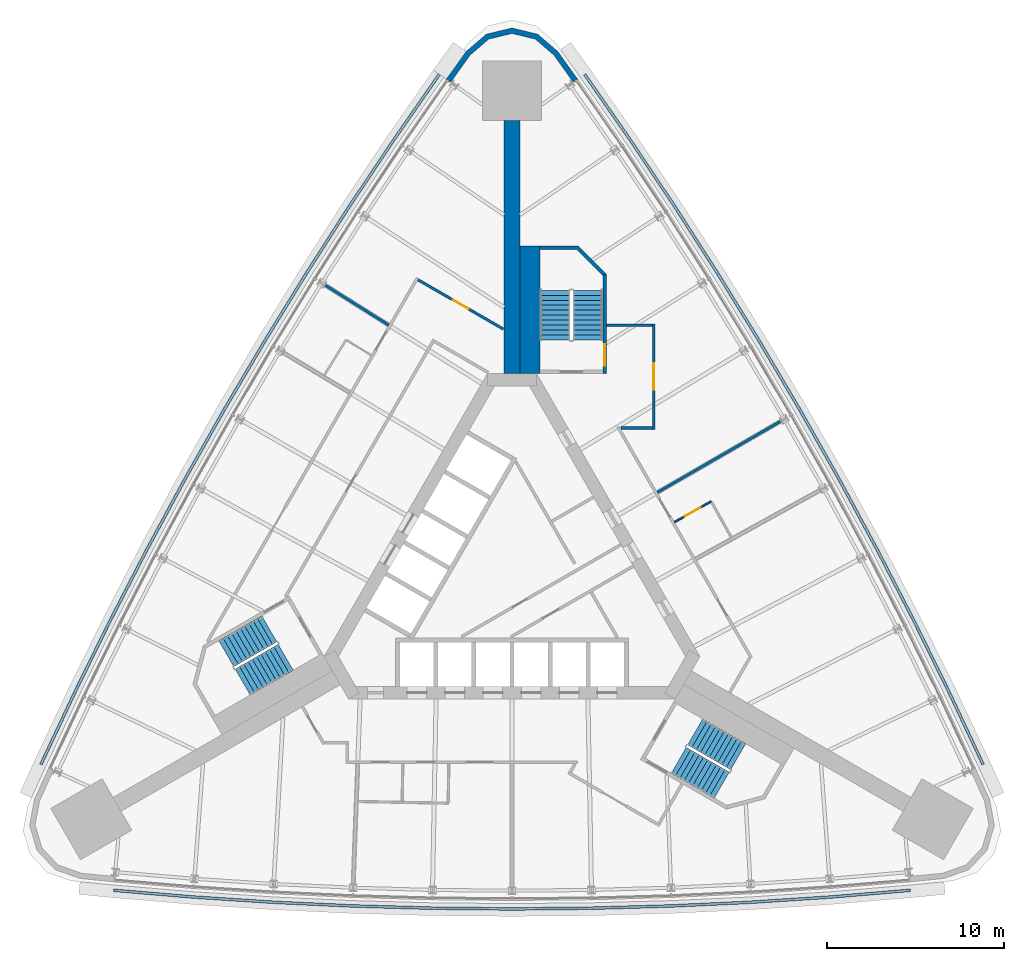
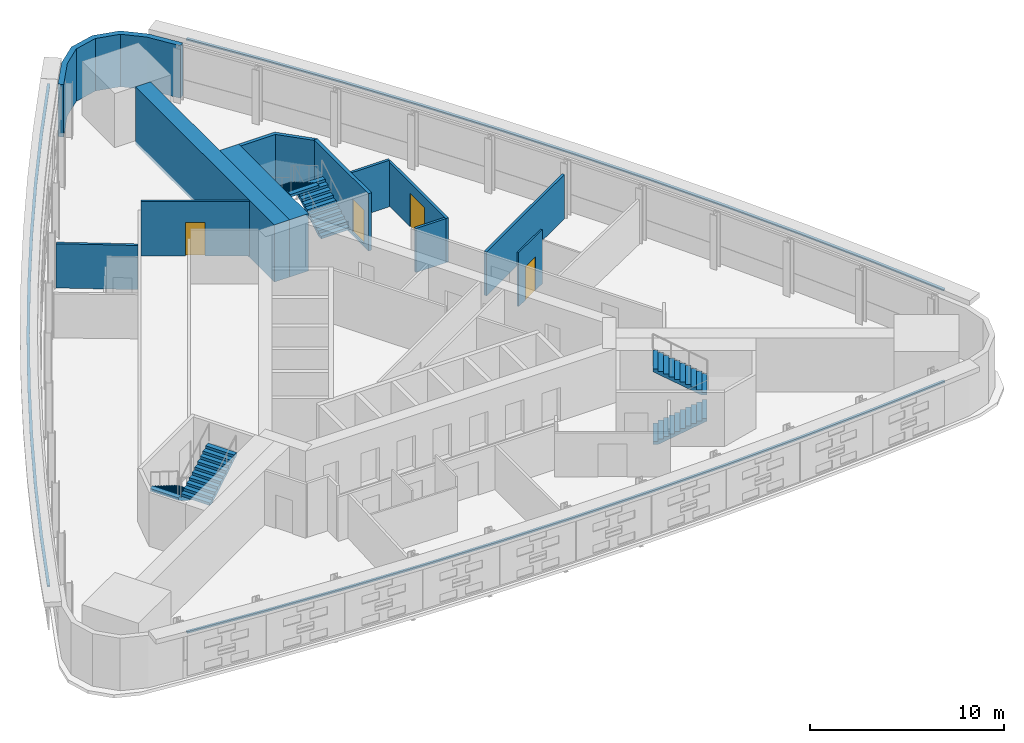
# One storey, part 12 of 14: 12 walls, 6 stair flights, 4 doors, 3 discrete accessories, 4 openings, 3 elements without a shape of their own.
"""IFC4 building model written with IfcOpenShell, lengths in metres."""

from ifc_helpers import new_model, si_unit, direction, frame, frame_2d, origin, place, context, subcontext, project, spatial, polyline, rectangle, outline, extrude, material, layer, layer_set, type_object, element, fill, aggregate, save


model = new_model("IFC4")

# Units and contexts
model_context = context("Model", 3, precision=1e-05, world=origin(), true_north=direction((0.0, 1.0)))
body_context = subcontext(model_context, "Body", "Model", "MODEL_VIEW")
ifc_project = project(units=[si_unit("LENGTHUNIT", "METRE"), si_unit("AREAUNIT", "SQUARE_METRE"), si_unit("VOLUMEUNIT", "CUBIC_METRE"), si_unit("PLANEANGLEUNIT", "RADIAN"), si_unit("MASSUNIT", "GRAM", prefix="KILO")], contexts=[model_context])

# Site, building, storey
site_placement = place(None, origin())
site = spatial("IfcSite", under=ifc_project, at=site_placement, CompositionType="ELEMENT")
building_placement = place(site_placement, origin())
building = spatial("IfcBuilding", under=site, at=building_placement, Name="Noor Cloister Tower", CompositionType="ELEMENT")
storey_placement = place(building_placement, frame((0.0, 0.0, 34.800048828125)))
storey = spatial("IfcBuildingStorey", under=building, at=storey_placement, Name="L08", CompositionType="ELEMENT", Elevation=34.800048828125)

# Wall
ifc_material_1 = material(Name="Concrete C80/95", Category="concrete")
ifc_layer_1 = layer(ifc_material_1, 0.89990234375)
ifc_layer_set_1 = layer_set([ifc_layer_1], Name="Buttress wall 900 C80/95")
wall_type_1 = type_object("IfcWallType", Name="Buttress wall 900 C80/95", PredefinedType="SHEAR", material=ifc_layer_set_1)
wall_1_placement = place(storey_placement, frame((0.0, 11.456298828125, -0.199951171875), z_axis=(0.0, 0.0, 1.0), x_axis=(0.0, 1.0, 0.0)))
element("IfcWall", 1, at=wall_1_placement, inside=storey, type_object=wall_type_1, Name="Buttress wall N L08", PredefinedType="SHEAR", context=body_context, shape_type="SweptSolid", body=[
    extrude(rectangle(XDim=14.30859375, YDim=0.89990234375, at=frame_2d((7.154296875, 0.0))), origin(), (0.0, 0.0, 1.0), 3.599853515625),
])

# Wall, opening, door
ifc_material_2 = material(Name="Gypsum board partition on steel studs, 150 mm", Category="steel")
ifc_layer_2 = layer(ifc_material_2, 0.14990234375)
ifc_layer_set_2 = layer_set([ifc_layer_2], Name="Flat wall 150")
wall_type_2 = type_object("IfcWallType", Name="Flat wall 150", PredefinedType="PARTITIONING", material=ifc_layer_set_2)
wall_2_placement = place(storey_placement, frame((8.010498046875, 14.25634765625, 0.0), z_axis=(0.0, 0.0, 1.0), x_axis=(0.0, -1.0, 0.0)))
wall_2 = element("IfcWall", 2, at=wall_2_placement, inside=storey, type_object=wall_type_2, Name="Flat wall 150 L08 005", PredefinedType="PARTITIONING", context=body_context, shape_type="SweptSolid", body=[
    extrude(rectangle(XDim=5.949951171875, YDim=0.14990234375, at=frame_2d((2.97509765625, 0.0))), origin(), (0.0, 0.0, 1.0), 2.76806640625),
])
opening_1_placement = place(wall_2_placement, frame((2.22509765625, 0.0, 0.0)))
opening_1 = element("IfcOpeningElement", 3, at=opening_1_placement, cuts=wall_2, Name="Opening L08-009", PredefinedType="OPENING", context=body_context, shape_type="SweptSolid", body=[
    extrude(rectangle(XDim=1.5, YDim=2.10009765625, at=frame_2d((0.75, 1.050048828125))), frame((0.0, 0.0849609375, 0.0), z_axis=(0.0, -1.0, 0.0), x_axis=(1.0, 0.0, 0.0)), (0.0, 0.0, 1.0), 0.169921875),
])
ifc_material_3 = material(Name="Timber door leaf with steel frame", Category="steel")
door_type_1 = type_object("IfcDoorType", Name="Double door 1500 FD60", OperationType="NOTDEFINED", PredefinedType="DOOR", material=ifc_material_3)
door_1_placement = place(opening_1_placement, origin())
door_1 = element("IfcDoor", 4, at=door_1_placement, inside=storey, type_object=door_type_1, Name="Double door 1500 L08-009", OperationType="DOUBLE_DOOR_SINGLE_SWING", OverallHeight=2.10009765625, OverallWidth=1.5, PredefinedType="DOOR", context=body_context, shape_type="SweptSolid", body=[
    extrude(rectangle(XDim=1.5, YDim=2.10009765625, at=frame_2d((0.75, 1.050048828125))), frame((0.0, 0.02490234375, 0.0), z_axis=(0.0, -1.0, 0.0), x_axis=(1.0, 0.0, 0.0)), (0.0, 0.0, 1.0), 0.050048828125),
])
fill(opening_1, door_1)

wall_3_placement = place(storey_placement, frame((-5.3125, 16.754638671875, 0.0), z_axis=(0.0, 0.0, 1.0), x_axis=(0.866028693448, -0.499994302092, 0.0)))
wall_3 = element("IfcWall", 5, at=wall_3_placement, inside=storey, type_object=wall_type_2, Name="Flat wall 150 L08 007", PredefinedType="PARTITIONING", context=body_context, shape_type="SweptSolid", body=[
    extrude(rectangle(XDim=5.5712890625, YDim=0.14990234375, at=frame_2d((2.78564453125, 0.0))), origin(), (0.0, 0.0, 1.0), 3.39990234375),
])
opening_2_placement = place(wall_3_placement, frame((2.295166015625, 0.0, 0.0)))
opening_2 = element("IfcOpeningElement", 6, at=opening_2_placement, cuts=wall_3, Name="Opening L08-011", PredefinedType="OPENING", context=body_context, shape_type="SweptSolid", body=[
    extrude(rectangle(XDim=1.0, YDim=2.10009765625, at=frame_2d((0.5, 1.050048828125))), frame((0.0, 0.0849609375, 0.0), z_axis=(0.0, -1.0, 0.0), x_axis=(1.0, 0.0, 0.0)), (0.0, 0.0, 1.0), 0.169921875),
])
ifc_material_4 = material(Name="Timber door leaf with steel frame", Category="steel")
door_type_2 = type_object("IfcDoorType", Name="Interior door 1000 FD60", OperationType="NOTDEFINED", PredefinedType="DOOR", material=ifc_material_4)
door_2_placement = place(opening_2_placement, origin())
door_2 = element("IfcDoor", 7, at=door_2_placement, inside=storey, type_object=door_type_2, Name="Interior door 1000 L08-011", OperationType="SINGLE_SWING_RIGHT", OverallHeight=2.10009765625, OverallWidth=1.0, PredefinedType="DOOR", context=body_context, shape_type="SweptSolid", body=[
    extrude(rectangle(XDim=1.0, YDim=2.10009765625, at=frame_2d((0.5, 1.050048828125))), frame((0.0, 0.02490234375, 0.0), z_axis=(0.0, -1.0, 0.0), x_axis=(1.0, 0.0, 0.0)), (0.0, 0.0, 1.0), 0.050048828125),
])
fill(opening_2, door_2)

# Walls
wall_4_placement = place(storey_placement, frame((5.335693359375, 14.181396484375, 0.0), z_axis=(0.0, 0.0, 1.0), x_axis=(1.0, 0.0, 0.0)))
element("IfcWall", 8, at=wall_4_placement, inside=storey, type_object=wall_type_2, Name="Flat wall 150 L08 009", PredefinedType="PARTITIONING", context=body_context, shape_type="SweptSolid", body=[
    extrude(rectangle(XDim=2.599853515625, YDim=0.14990234375, at=frame_2d((1.2998046875, 0.0))), origin(), (0.0, 0.0, 1.0), 2.9228515625),
])
wall_5_placement = place(storey_placement, frame((6.148681640625, 8.38134765625, 0.0), z_axis=(0.0, 0.0, 1.0), x_axis=(1.0, 0.0, 0.0)))
element("IfcWall", 9, at=wall_5_placement, inside=storey, type_object=wall_type_2, Name="Flat wall 150 L08 013", PredefinedType="PARTITIONING", context=body_context, shape_type="SweptSolid", body=[
    extrude(rectangle(XDim=1.786865234375, YDim=0.14990234375, at=frame_2d((0.8935546875, 0.0))), origin(), (0.0, 0.0, 1.0), 2.76806640625),
])
wall_6_placement = place(storey_placement, frame((15.161376953125, 8.75341796875, 0.0), z_axis=(0.0, 0.0, 1.0), x_axis=(-0.86601695431, -0.500014634633, 0.0)))
element("IfcWall", 10, at=wall_6_placement, inside=storey, type_object=wall_type_2, Name="Flat wall 150 L08 017", PredefinedType="PARTITIONING", context=body_context, shape_type="SweptSolid", body=[
    extrude(rectangle(XDim=8.028564453125, YDim=0.14990234375, at=frame_2d((4.01416015625, 0.0))), origin(), (0.0, 0.0, 1.0), 2.76806640625),
])
wall_7_placement = place(storey_placement, frame((-10.531982421875, 16.435791015625, 0.0), z_axis=(0.0, 0.0, 1.0), x_axis=(0.846689538327, -0.532087235036, 0.0)))
element("IfcWall", 11, at=wall_7_placement, inside=storey, type_object=wall_type_2, Name="Flat wall 150 L08 022", PredefinedType="PARTITIONING", context=body_context, shape_type="SweptSolid", body=[
    extrude(rectangle(XDim=4.210693359375, YDim=0.14990234375, at=frame_2d((2.10546875, 0.0))), origin(), (0.0, 0.0, 1.0), 2.77783203125),
])
ifc_material_5 = material(Name="Limestone", Category="masonry")
ifc_layer_3 = layer(ifc_material_5, 0.300048828125)
ifc_layer_set_3 = layer_set([ifc_layer_3], Name="Limestone cladding 300")
wall_type_3 = type_object("IfcWallType", Name="Limestone cladding 300", PredefinedType="NOTDEFINED", material=ifc_layer_set_3)
wall_8_placement = place(storey_placement, origin())
element("IfcWall", 12, at=wall_8_placement, inside=storey, type_object=wall_type_3, Name="Limestone pier cladding L08 3.1", PredefinedType="NOTDEFINED", context=body_context, shape_type="SweptSolid", body=[
    extrude(outline(polyline([(3.708984375, 28.084228515625), (2.58642578125, 29.65234375), (1.45263671875, 30.625244140625), (0.0, 30.975341796875), (-1.45263671875, 30.625244140625), (-2.58642578125, 29.65234375), (-3.708984375, 28.084228515625), (-3.465087890625, 27.90966796875), (-2.363525390625, 29.4482421875), (-1.31201171875, 30.3505859375), (0.0, 30.666748046875), (1.31201171875, 30.3505859375), (2.363525390625, 29.4482421875), (3.465087890625, 27.90966796875), (3.708984375, 28.084228515625)])), origin(), (0.0, 0.0, 1.0), 3.300048828125),
])

# Wall, opening, door
ifc_material_6 = material(Name="Gypsum board partition on steel studs, 100 mm", Category="steel")
ifc_layer_4 = layer(ifc_material_6, 0.10009765625)
ifc_layer_set_4 = layer_set([ifc_layer_4], Name="Partition 100")
wall_type_4 = type_object("IfcWallType", Name="Partition 100", PredefinedType="PARTITIONING", material=ifc_layer_set_4)
wall_9_placement = place(storey_placement, frame((11.250244140625, 4.2353515625, 0.0), z_axis=(0.0, 0.0, 1.0), x_axis=(-0.870673532045, -0.491861363188, 0.0)))
wall_9 = element("IfcWall", 13, at=wall_9_placement, inside=storey, type_object=wall_type_4, Name="Partition 100 L08 024", PredefinedType="PARTITIONING", context=body_context, shape_type="SweptSolid", body=[
    extrude(rectangle(XDim=2.382080078125, YDim=0.10009765625, at=frame_2d((1.19091796875, 0.0))), origin(), (0.0, 0.0, 1.0), 3.39990234375),
])
opening_3_placement = place(wall_9_placement, frame((0.699951171875, 0.0, 0.0)))
opening_3 = element("IfcOpeningElement", 14, at=opening_3_placement, cuts=wall_9, Name="Opening L08-013", PredefinedType="OPENING", context=body_context, shape_type="SweptSolid", body=[
    extrude(rectangle(XDim=1.0, YDim=2.10009765625, at=frame_2d((0.5, 1.050048828125))), frame((0.0, 0.06005859375, 0.0), z_axis=(0.0, -1.0, 0.0), x_axis=(1.0, 0.0, 0.0)), (0.0, 0.0, 1.0), 0.1201171875),
])
ifc_material_7 = material(Name="Timber door leaf with steel frame", Category="steel")
door_type_3 = type_object("IfcDoorType", Name="Interior door 1000", OperationType="NOTDEFINED", PredefinedType="DOOR", material=ifc_material_7)
door_3_placement = place(opening_3_placement, origin())
door_3 = element("IfcDoor", 15, at=door_3_placement, inside=storey, type_object=door_type_3, Name="Interior door 1000 L08-013", OperationType="SINGLE_SWING_RIGHT", OverallHeight=2.10009765625, OverallWidth=1.0, PredefinedType="DOOR", context=body_context, shape_type="SweptSolid", body=[
    extrude(rectangle(XDim=1.0, YDim=2.10009765625, at=frame_2d((0.5, 1.050048828125))), frame((0.0, 0.02490234375, 0.0), z_axis=(0.0, -1.0, 0.0), x_axis=(1.0, 0.0, 0.0)), (0.0, 0.0, 1.0), 0.050048828125),
])
fill(opening_3, door_3)

# Wall
ifc_material_8 = material(Name="Concrete C80/95", Category="concrete")
ifc_layer_5 = layer(ifc_material_8, 1.135986328125)
ifc_layer_set_5 = layer_set([ifc_layer_5], Name="Stair enclosure wall 1136 C80/95")
wall_type_5 = type_object("IfcWallType", Name="Stair enclosure wall 1136 C80/95", PredefinedType="SHEAR", material=ifc_layer_set_5)
wall_10_placement = place(storey_placement, frame((1.017822265625, 11.456298828125, -0.199951171875), z_axis=(0.0, 0.0, 1.0), x_axis=(0.0, 1.0, 0.0)))
element("IfcWall", 16, at=wall_10_placement, inside=storey, type_object=wall_type_5, Name="Stair enclosure wall ST1 L08 riser side", PredefinedType="SHEAR", context=body_context, shape_type="SweptSolid", body=[
    extrude(rectangle(XDim=7.2001953125, YDim=1.1357421875, at=frame_2d((3.60009765625, 0.0))), origin(), (0.0, 0.0, 1.0), 3.599853515625),
])

# Wall, opening, door
ifc_material_9 = material(Name="Concrete C80/95", Category="concrete")
ifc_layer_6 = layer(ifc_material_9, 0.199951171875)
ifc_layer_set_6 = layer_set([ifc_layer_6], Name="Stair enclosure wall 200 C80/95")
wall_type_6 = type_object("IfcWallType", Name="Stair enclosure wall 200 C80/95", PredefinedType="SHEAR", material=ifc_layer_set_6)
wall_11_placement = place(storey_placement, frame((5.235595703125, 11.456298828125, -0.199951171875), z_axis=(0.0, 0.0, 1.0), x_axis=(0.0, 1.0, 0.0)))
wall_11 = element("IfcWall", 17, at=wall_11_placement, inside=storey, type_object=wall_type_6, Name="Stair enclosure wall ST1 L08 outer side", PredefinedType="SHEAR", context=body_context, shape_type="SweptSolid", body=[
    extrude(rectangle(XDim=5.60009765625, YDim=0.199951171875, at=frame_2d((2.800048828125, 0.0))), origin(), (0.0, 0.0, 1.0), 3.599853515625),
])
opening_4_placement = place(wall_11_placement, frame((0.449951171875, 0.0, 0.199951171875)))
opening_4 = element("IfcOpeningElement", 18, at=opening_4_placement, cuts=wall_11, Name="Opening L08-ST1C", PredefinedType="OPENING", context=body_context, shape_type="SweptSolid", body=[
    extrude(rectangle(XDim=1.199951171875, YDim=2.10009765625, at=frame_2d((0.60009765625, 1.050048828125))), frame((0.0, 0.10986328125, 0.0), z_axis=(0.0, -1.0, 0.0), x_axis=(1.0, 0.0, 0.0)), (0.0, 0.0, 1.0), 0.219970703125),
])
ifc_material_10 = material(Name="Steel", Category="steel")
door_type_4 = type_object("IfcDoorType", Name="Stair door 1200 x 2100 FD120", OperationType="SINGLE_SWING_LEFT", PredefinedType="DOOR", material=ifc_material_10)
door_4_placement = place(opening_4_placement, origin())
door_4 = element("IfcDoor", 19, at=door_4_placement, inside=storey, type_object=door_type_4, Name="Stair door ST1 L08", OperationType="SINGLE_SWING_LEFT", OverallHeight=2.10009765625, OverallWidth=1.199951171875, PredefinedType="DOOR", context=body_context, shape_type="SweptSolid", body=[
    extrude(rectangle(XDim=1.199951171875, YDim=2.10009765625, at=frame_2d((0.60009765625, 1.050048828125))), frame((0.0, 0.02490234375, 0.0), z_axis=(0.0, -1.0, 0.0), x_axis=(1.0, 0.0, 0.0)), (0.0, 0.0, 1.0), 0.050048828125),
])
fill(opening_4, door_4)

# Wall
ifc_material_11 = material(Name="Concrete C80/95", Category="concrete")
wall_type_7 = type_object("IfcWallType", Name="Stair far end wall C80/95", PredefinedType="SHEAR", material=ifc_material_11)
wall_12_placement = place(storey_placement, frame((0.0, 0.0, -0.199951171875)))
element("IfcWall", 20, at=wall_12_placement, inside=storey, type_object=wall_type_7, Name="Stair enclosure wall ST1 L08 far end", PredefinedType="SHEAR", context=body_context, shape_type="SweptSolid", body=[
    extrude(outline(polyline([(5.335693359375, 17.056396484375), (3.735595703125, 18.656494140625), (1.585693359375, 18.656494140625), (1.585693359375, 18.456298828125), (3.65283203125, 18.456298828125), (5.135498046875, 16.9736328125), (5.135498046875, 17.056396484375), (5.135498046875, 17.056396484375), (5.135498046875, 17.056396484375), (5.135498046875, 17.056396484375), (5.135498046875, 17.056396484375), (5.135498046875, 17.056396484375), (5.135498046875, 17.056396484375), (5.135498046875, 17.056396484375), (5.135498046875, 17.056396484375), (5.135498046875, 17.056396484375), (5.135498046875, 17.056396484375), (5.135498046875, 17.056396484375), (5.135498046875, 17.056396484375), (5.135498046875, 17.056396484375), (5.135498046875, 17.056396484375), (5.135498046875, 17.056396484375), (5.135498046875, 17.056396484375), (5.335693359375, 17.056396484375)])), origin(), (0.0, 0.0, 1.0), 3.599853515625),
])

# Stair, stair flights
ifc_material_12 = material(Name="Concrete C40/50", Category="concrete")
stair_type = type_object("IfcStairType", Name="Exit stair 22 risers", PredefinedType="HALF_TURN_STAIR", material=ifc_material_12)
stair_1_placement = place(storey_placement, origin())
stair_1 = element("IfcStair", 21, at=stair_1_placement, inside=storey, type_object=stair_type, Name="Exit stair ST1 L08", PredefinedType="HALF_TURN_STAIR")
ifc_material_13 = material(Name="Concrete C40/50", Category="concrete")
stair_flight_type = type_object("IfcStairFlightType", Name="Exit stair flight", PredefinedType="STRAIGHT", material=ifc_material_13)
stair_flight_1_placement = place(storey_placement, frame((4.28564453125, 13.3564453125, 0.0), z_axis=(0.0, 0.0, 1.0), x_axis=(0.0, 1.0, 0.0)))
stair_flight_1 = element("IfcStairFlight", 22, at=stair_flight_1_placement, type_object=stair_flight_type, Name="ST1 flight 1", NumberOfRisers=11, NumberOfTreads=10, PredefinedType="STRAIGHT", RiserHeight=0.163636364, TreadLength=0.28, context=body_context, shape_type="SweptSolid", body=[
    extrude(outline(polyline([(0.0, 0.0), (0.0, 0.16357421875), (0.280029296875, 0.16357421875), (0.280029296875, 0.327392578125), (0.56005859375, 0.327392578125), (0.56005859375, 0.490966796875), (0.840087890625, 0.490966796875), (0.840087890625, 0.654541015625), (1.1201171875, 0.654541015625), (1.1201171875, 0.818115234375), (1.39990234375, 0.818115234375), (1.39990234375, 0.98193359375), (1.679931640625, 0.98193359375), (1.679931640625, 1.1455078125), (1.9599609375, 1.1455078125), (1.9599609375, 1.30908203125), (2.239990234375, 1.30908203125), (2.239990234375, 1.47265625), (2.52001953125, 1.47265625), (2.52001953125, 1.636474609375), (2.800048828125, 1.636474609375), (2.800048828125, 1.800048828125), (2.800048828125, 1.462646484375), (0.297119140625, 0.0), (0.0, 0.0)])), frame((0.0, 0.85009765625, 0.0), z_axis=(0.0, -1.0, 0.0), x_axis=(1.0, 0.0, 0.0)), (0.0, 0.0, 1.0), 1.699951171875),
])
stair_flight_2_placement = place(storey_placement, frame((2.435546875, 16.156494140625, 1.800048828125), z_axis=(0.0, 0.0, 1.0), x_axis=(0.0, -1.0, 0.0)))
stair_flight_2 = element("IfcStairFlight", 23, at=stair_flight_2_placement, type_object=stair_flight_type, Name="ST1 flight 2", NumberOfRisers=11, NumberOfTreads=10, PredefinedType="STRAIGHT", RiserHeight=0.163636364, TreadLength=0.28, context=body_context, shape_type="SweptSolid", body=[
    extrude(outline(polyline([(0.0, 0.0), (0.0, 0.16357421875), (0.280029296875, 0.16357421875), (0.280029296875, 0.327392578125), (0.56005859375, 0.327392578125), (0.56005859375, 0.490966796875), (0.840087890625, 0.490966796875), (0.840087890625, 0.654541015625), (1.1201171875, 0.654541015625), (1.1201171875, 0.818115234375), (1.39990234375, 0.818115234375), (1.39990234375, 0.98193359375), (1.679931640625, 0.98193359375), (1.679931640625, 1.1455078125), (1.9599609375, 1.1455078125), (1.9599609375, 1.30908203125), (2.239990234375, 1.30908203125), (2.239990234375, 1.47265625), (2.52001953125, 1.47265625), (2.52001953125, 1.636474609375), (2.800048828125, 1.636474609375), (2.800048828125, 1.800048828125), (2.800048828125, 1.462646484375), (0.297119140625, 0.0), (0.0, 0.0)])), frame((0.0, 0.85009765625, 0.0), z_axis=(0.0, -1.0, 0.0), x_axis=(1.0, 0.0, 0.0)), (0.0, 0.0, 1.0), 1.699951171875),
])
aggregate(stair_1, [stair_flight_1, stair_flight_2])

stair_2_placement = place(storey_placement, origin())
stair_2 = element("IfcStair", 24, at=stair_2_placement, inside=storey, type_object=stair_type, Name="Exit stair ST2 L08", PredefinedType="HALF_TURN_STAIR")
stair_flight_3_placement = place(storey_placement, frame((-13.709716796875, -2.966796875, 0.0), z_axis=(0.0, 0.0, 1.0), x_axis=(-0.866025403784, -0.5, 0.0)))
stair_flight_3 = element("IfcStairFlight", 25, at=stair_flight_3_placement, type_object=stair_flight_type, Name="ST2 flight 1", NumberOfRisers=11, NumberOfTreads=10, PredefinedType="STRAIGHT", RiserHeight=0.163636364, TreadLength=0.28, context=body_context, shape_type="SweptSolid", body=[
    extrude(outline(polyline([(0.0, 0.0), (0.0, 0.16357421875), (0.280029296875, 0.16357421875), (0.280029296875, 0.327392578125), (0.56005859375, 0.327392578125), (0.56005859375, 0.490966796875), (0.840087890625, 0.490966796875), (0.840087890625, 0.654541015625), (1.1201171875, 0.654541015625), (1.1201171875, 0.818115234375), (1.39990234375, 0.818115234375), (1.39990234375, 0.98193359375), (1.679931640625, 0.98193359375), (1.679931640625, 1.1455078125), (1.9599609375, 1.1455078125), (1.9599609375, 1.30908203125), (2.239990234375, 1.30908203125), (2.239990234375, 1.47265625), (2.52001953125, 1.47265625), (2.52001953125, 1.636474609375), (2.800048828125, 1.636474609375), (2.800048828125, 1.800048828125), (2.800048828125, 1.462646484375), (0.297119140625, 0.0), (0.0, 0.0)])), frame((0.0, 0.85009765625, 0.0), z_axis=(0.0, -1.0, 0.0), x_axis=(1.0, 0.0, 0.0)), (0.0, 0.0, 1.0), 1.699951171875),
])
stair_flight_4_placement = place(storey_placement, frame((-15.209716796875, -5.968994140625, 1.800048828125), z_axis=(0.0, 0.0, 1.0), x_axis=(0.866025403784, 0.5, 0.0)))
stair_flight_4 = element("IfcStairFlight", 26, at=stair_flight_4_placement, type_object=stair_flight_type, Name="ST2 flight 2", NumberOfRisers=11, NumberOfTreads=10, PredefinedType="STRAIGHT", RiserHeight=0.163636364, TreadLength=0.28, context=body_context, shape_type="SweptSolid", body=[
    extrude(outline(polyline([(0.0, 0.0), (0.0, 0.16357421875), (0.280029296875, 0.16357421875), (0.280029296875, 0.327392578125), (0.56005859375, 0.327392578125), (0.56005859375, 0.490966796875), (0.840087890625, 0.490966796875), (0.840087890625, 0.654541015625), (1.1201171875, 0.654541015625), (1.1201171875, 0.818115234375), (1.39990234375, 0.818115234375), (1.39990234375, 0.98193359375), (1.679931640625, 0.98193359375), (1.679931640625, 1.1455078125), (1.9599609375, 1.1455078125), (1.9599609375, 1.30908203125), (2.239990234375, 1.30908203125), (2.239990234375, 1.47265625), (2.52001953125, 1.47265625), (2.52001953125, 1.636474609375), (2.800048828125, 1.636474609375), (2.800048828125, 1.800048828125), (2.800048828125, 1.462646484375), (0.297119140625, 0.0), (0.0, 0.0)])), frame((0.0, 0.85009765625, 0.0), z_axis=(0.0, -1.0, 0.0), x_axis=(1.0, 0.0, 0.0)), (0.0, 0.0, 1.0), 1.699951171875),
])
aggregate(stair_2, [stair_flight_3, stair_flight_4])

stair_3_placement = place(storey_placement, origin())
stair_3 = element("IfcStair", 27, at=stair_3_placement, inside=storey, type_object=stair_type, Name="Exit stair ST3 L08", PredefinedType="HALF_TURN_STAIR")
stair_flight_5_placement = place(storey_placement, frame((9.424072265625, -10.3896484375, 0.0), z_axis=(0.0, 0.0, 1.0), x_axis=(0.866025403784, -0.5, 0.0)))
stair_flight_5 = element("IfcStairFlight", 28, at=stair_flight_5_placement, type_object=stair_flight_type, Name="ST3 flight 1", NumberOfRisers=11, NumberOfTreads=10, PredefinedType="STRAIGHT", RiserHeight=0.163636364, TreadLength=0.28, context=body_context, shape_type="SweptSolid", body=[
    extrude(outline(polyline([(0.0, 0.0), (0.0, 0.16357421875), (0.280029296875, 0.16357421875), (0.280029296875, 0.327392578125), (0.56005859375, 0.327392578125), (0.56005859375, 0.490966796875), (0.840087890625, 0.490966796875), (0.840087890625, 0.654541015625), (1.1201171875, 0.654541015625), (1.1201171875, 0.818115234375), (1.39990234375, 0.818115234375), (1.39990234375, 0.98193359375), (1.679931640625, 0.98193359375), (1.679931640625, 1.1455078125), (1.9599609375, 1.1455078125), (1.9599609375, 1.30908203125), (2.239990234375, 1.30908203125), (2.239990234375, 1.47265625), (2.52001953125, 1.47265625), (2.52001953125, 1.636474609375), (2.800048828125, 1.636474609375), (2.800048828125, 1.800048828125), (2.800048828125, 1.462646484375), (0.297119140625, 0.0), (0.0, 0.0)])), frame((0.0, 0.85009765625, 0.0), z_axis=(0.0, -1.0, 0.0), x_axis=(1.0, 0.0, 0.0)), (0.0, 0.0, 1.0), 1.699951171875),
])
stair_flight_6_placement = place(storey_placement, frame((12.77392578125, -10.1875, 1.800048828125), z_axis=(0.0, 0.0, 1.0), x_axis=(-0.866025403784, 0.5, 0.0)))
stair_flight_6 = element("IfcStairFlight", 29, at=stair_flight_6_placement, type_object=stair_flight_type, Name="ST3 flight 2", NumberOfRisers=11, NumberOfTreads=10, PredefinedType="STRAIGHT", RiserHeight=0.163636364, TreadLength=0.28, context=body_context, shape_type="SweptSolid", body=[
    extrude(outline(polyline([(0.0, 0.0), (0.0, 0.16357421875), (0.280029296875, 0.16357421875), (0.280029296875, 0.327392578125), (0.56005859375, 0.327392578125), (0.56005859375, 0.490966796875), (0.840087890625, 0.490966796875), (0.840087890625, 0.654541015625), (1.1201171875, 0.654541015625), (1.1201171875, 0.818115234375), (1.39990234375, 0.818115234375), (1.39990234375, 0.98193359375), (1.679931640625, 0.98193359375), (1.679931640625, 1.1455078125), (1.9599609375, 1.1455078125), (1.9599609375, 1.30908203125), (2.239990234375, 1.30908203125), (2.239990234375, 1.47265625), (2.52001953125, 1.47265625), (2.52001953125, 1.636474609375), (2.800048828125, 1.636474609375), (2.800048828125, 1.800048828125), (2.800048828125, 1.462646484375), (0.297119140625, 0.0), (0.0, 0.0)])), frame((0.0, 0.85009765625, 0.0), z_axis=(0.0, -1.0, 0.0), x_axis=(1.0, 0.0, 0.0)), (0.0, 0.0, 1.0), 1.699951171875),
])
aggregate(stair_3, [stair_flight_5, stair_flight_6])

# Discrete accessories
ifc_material_14 = material(Name="Stainless steel grade 316", Category="steel")
discrete_accessory_type = type_object("IfcDiscreteAccessoryType", Name="Stainless hanger rail", PredefinedType="BRACKET", material=ifc_material_14)
discrete_accessory_1_placement = place(storey_placement, frame((0.0, 0.0, 3.199951171875)))
element("IfcDiscreteAccessory", 30, at=discrete_accessory_1_placement, inside=storey, type_object=discrete_accessory_type, Name="Hanger rail L08", PredefinedType="BRACKET", context=body_context, shape_type="SweptSolid", body=[
    extrude(outline(polyline([(-4.168701171875, 28.404052734375), (-6.74169921875, 24.705810546875), (-9.247802734375, 20.955810546875), (-11.683349609375, 17.159423828125), (-14.04736328125, 13.318359375), (-16.339111328125, 9.433349609375), (-18.5576171875, 5.50634765625), (-20.702392578125, 1.538330078125), (-22.772216796875, -2.468994140625), (-24.766845703125, -6.514404296875), (-26.682861328125, -10.591796875), (-26.5380859375, -10.659912109375), (-24.62255859375, -6.583984375), (-22.62939453125, -2.541015625), (-20.560791015625, 1.463623046875), (-18.417724609375, 5.428955078125), (-16.20068359375, 9.353515625), (-13.910400390625, 13.235595703125), (-11.5478515625, 17.074462890625), (-9.114013671875, 20.8681640625), (-6.609375, 24.61572265625), (-4.037353515625, 28.312744140625), (-4.168701171875, 28.404052734375)])), origin(), (0.0, 0.0, 1.0), 0.10009765625),
])
discrete_accessory_2_placement = place(storey_placement, frame((0.0, 0.0, 3.199951171875)))
element("IfcDiscreteAccessory", 31, at=discrete_accessory_2_placement, inside=storey, type_object=discrete_accessory_type, Name="Hanger rail L08", PredefinedType="BRACKET", context=body_context, shape_type="SweptSolid", body=[
    extrude(outline(polyline([(-22.51416015625, -17.812255859375), (-18.025146484375, -18.19140625), (-13.5244140625, -18.48681640625), (-9.018798828125, -18.697998046875), (-4.51025390625, -18.82470703125), (0.0, -18.866943359375), (4.51025390625, -18.82470703125), (9.018798828125, -18.697998046875), (13.5244140625, -18.48681640625), (18.025146484375, -18.19140625), (22.51416015625, -17.812255859375), (22.500732421875, -17.65283203125), (18.01318359375, -18.03173828125), (13.515380859375, -18.3271484375), (9.012939453125, -18.5380859375), (4.50732421875, -18.66455078125), (0.0, -18.706787109375), (-4.50732421875, -18.66455078125), (-9.012939453125, -18.5380859375), (-13.515380859375, -18.3271484375), (-18.01318359375, -18.03173828125), (-22.500732421875, -17.65283203125), (-22.51416015625, -17.812255859375)])), origin(), (0.0, 0.0, 1.0), 0.10009765625),
])
discrete_accessory_3_placement = place(storey_placement, frame((0.0, 0.0, 3.199951171875)))
element("IfcDiscreteAccessory", 32, at=discrete_accessory_3_placement, inside=storey, type_object=discrete_accessory_type, Name="Hanger rail L08", PredefinedType="BRACKET", context=body_context, shape_type="SweptSolid", body=[
    extrude(outline(polyline([(26.682861328125, -10.591796875), (24.766845703125, -6.514404296875), (22.772216796875, -2.468994140625), (20.702392578125, 1.538330078125), (18.5576171875, 5.50634765625), (16.339111328125, 9.433349609375), (14.04736328125, 13.318359375), (11.683349609375, 17.159423828125), (9.247802734375, 20.955810546875), (6.74169921875, 24.705810546875), (4.168701171875, 28.404052734375), (4.037353515625, 28.312744140625), (6.609375, 24.61572265625), (9.114013671875, 20.8681640625), (11.5478515625, 17.074462890625), (13.910400390625, 13.235595703125), (16.20068359375, 9.353515625), (18.417724609375, 5.428955078125), (20.560791015625, 1.463623046875), (22.62939453125, -2.541015625), (24.62255859375, -6.583984375), (26.5380859375, -10.659912109375), (26.682861328125, -10.591796875)])), origin(), (0.0, 0.0, 1.0), 0.10009765625),
])

save(model, "model.ifc")
